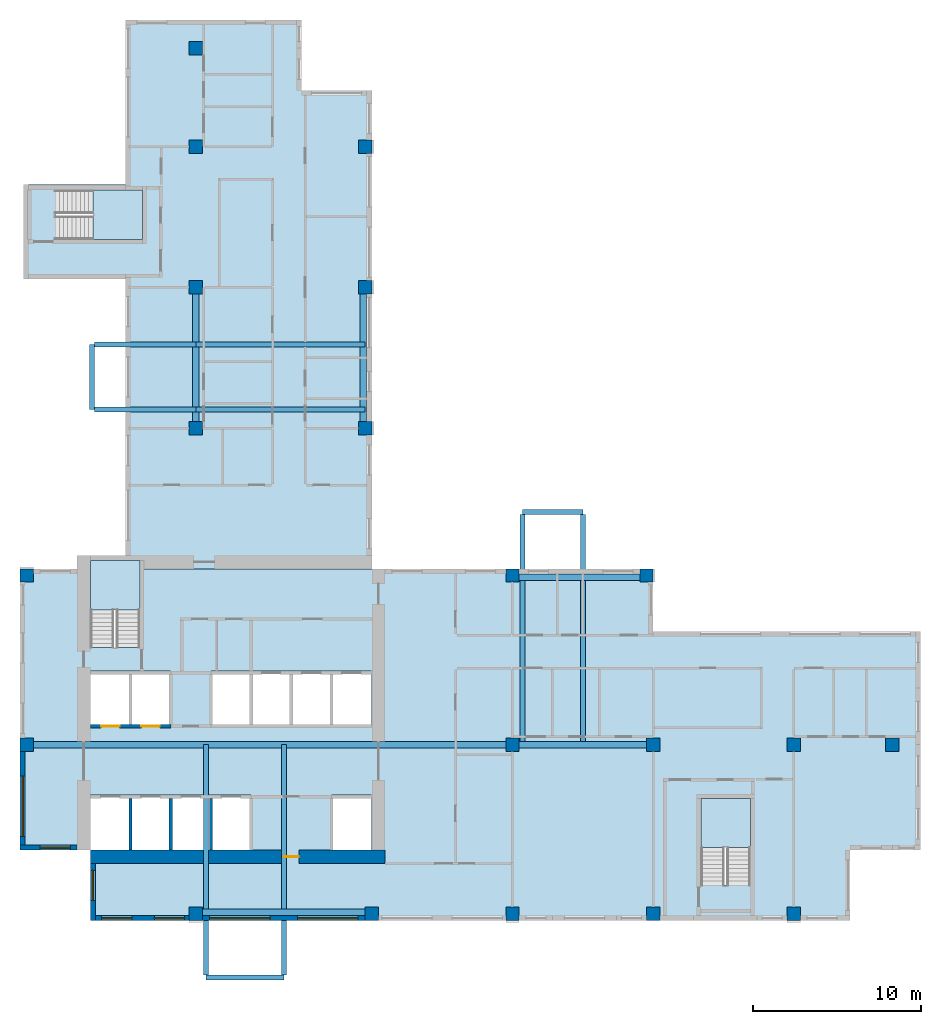
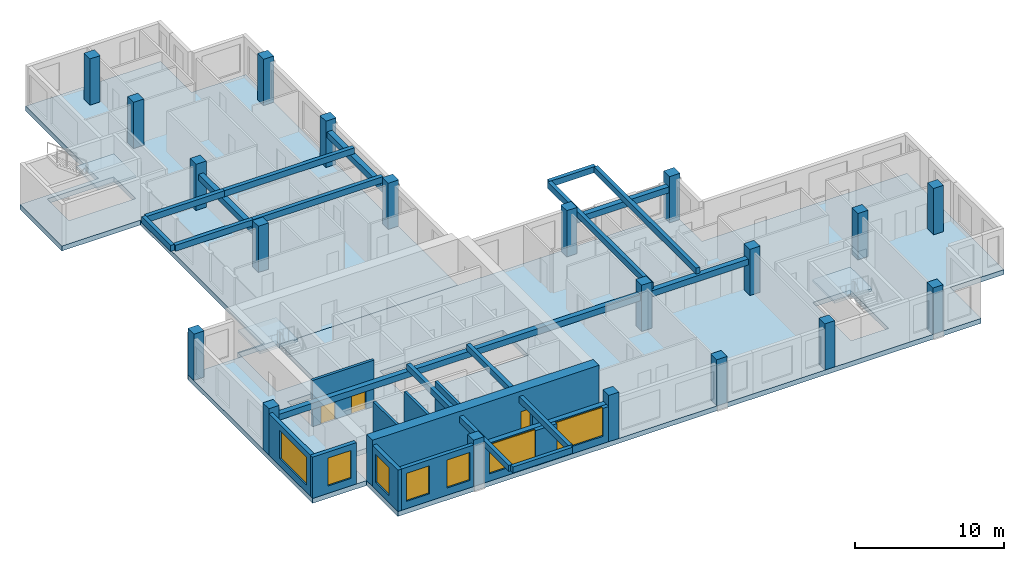
# One storey, part 1 of 11: 20 columns, 17 beams, 10 walls, 7 windows, 5 slabs, 3 doors, 10 openings, 3 elements without a shape of their own.
"""IFC4 building model written with IfcOpenShell, lengths in metres."""

import ifcopenshell
import ifcopenshell.guid

model = None  # the IFC model being written
_history = None  # IfcOwnerHistory: only IFC2X3 demands one
_inside = {}  # id of a spatial element -> (the spatial element, [elements in it])
_under = {}  # id of a project, library or spatial element -> (it, [spatial elements below it])
_declared = {}  # id of a project -> (the project, [libraries it declares])
_typed = {}  # id of a type object -> (the type object, [elements of that type])
_made_of = {}  # id of a material, layer set ... -> (it, [elements and type objects made of it])


def new_model(schema):
    """Start an empty IFC model of exactly this schema.

    Asked for "IFC4X3", IfcOpenShell would pick the latest addendum, in which some entities
    have other attributes; the version numbers below select the first issue.
    IFC2X3 requires an IfcOwnerHistory on every rooted entity: one is made here for all.
    """
    global model, _history
    if schema == "IFC4X3":
        model = ifcopenshell.file(schema_version=(4, 3, 0, 0))
    else:
        model = ifcopenshell.file(schema=schema)
    _inside.clear()
    _under.clear()
    _declared.clear()
    _typed.clear()
    _made_of.clear()
    _history = None
    if model.schema == "IFC2X3":
        org = make("IfcOrganization", Name="unknown")
        user = make(
            "IfcPersonAndOrganization",
            ThePerson=make("IfcPerson", FamilyName="unknown"),
            TheOrganization=org,
        )
        app = make(
            "IfcApplication",
            ApplicationDeveloper=org,
            Version="unknown",
            ApplicationFullName="unknown",
            ApplicationIdentifier="unknown",
        )
        _history = make(
            "IfcOwnerHistory",
            OwningUser=user,
            OwningApplication=app,
            ChangeAction="ADDED",
            CreationDate=0,
        )
    return model


def make(cls, **values):
    """One entity of the class cls with the attributes given. An attribute that is None is left unset."""
    return model.create_entity(
        cls, **{name: value for name, value in values.items() if value is not None}
    )


def rooted(cls, **values):
    """An entity with a GlobalId (a new one), such as an element, a storey or a relation."""
    return make(cls, GlobalId=ifcopenshell.guid.new(), OwnerHistory=_history, **values)


def si_unit(unit_type, name, prefix=None):
    """IfcSIUnit, for example si_unit("LENGTHUNIT", "METRE", prefix="MILLI")."""
    return make("IfcSIUnit", UnitType=unit_type, Prefix=prefix, Name=name)


def assignment(units):
    """IfcUnitAssignment: the units of a project."""
    return None if units is None else make("IfcUnitAssignment", Units=units)


def point(xyz):
    """IfcCartesianPoint."""
    return None if xyz is None else make("IfcCartesianPoint", Coordinates=xyz)


def direction(xyz):
    """IfcDirection."""
    return None if xyz is None else make("IfcDirection", DirectionRatios=xyz)


def frame(location, z_axis=None, x_axis=None):
    """IfcAxis2Placement3D, a coordinate frame: its origin and axes. An axis left out is left unset."""
    return make(
        "IfcAxis2Placement3D",
        Location=point(location),
        Axis=direction(z_axis),
        RefDirection=direction(x_axis),
    )


def frame_2d(location, x_axis=None):
    """IfcAxis2Placement2D, a coordinate frame in the plane: its origin and x axis."""
    return make(
        "IfcAxis2Placement2D", Location=point(location), RefDirection=direction(x_axis)
    )


def origin():
    """The frame at (0, 0, 0) with its axes left unset."""
    return frame((0.0, 0.0, 0.0))


def origin_2d():
    """The frame at (0, 0) in the plane with its x axis left unset."""
    return frame_2d((0.0, 0.0))


def place(relative_to, where):
    """IfcLocalPlacement: puts the frame where relative to a parent placement (None: the world)."""
    return make(
        "IfcLocalPlacement", PlacementRelTo=relative_to, RelativePlacement=where
    )


def context(
    kind, dimensions, precision=None, world=None, true_north=None, identifier=None
):
    """IfcGeometricRepresentationContext, for example the 3D "Model" context."""
    return make(
        "IfcGeometricRepresentationContext",
        ContextIdentifier=identifier,
        ContextType=kind,
        CoordinateSpaceDimension=dimensions,
        Precision=precision,
        WorldCoordinateSystem=world,
        TrueNorth=true_north,
    )


def subcontext(parent, identifier, kind, view, scale=None):
    """IfcGeometricRepresentationSubContext, for example "Body" below "Model"."""
    return make(
        "IfcGeometricRepresentationSubContext",
        ContextIdentifier=identifier,
        ContextType=kind,
        ParentContext=parent,
        TargetScale=scale,
        TargetView=view,
    )


def project(units=None, contexts=None):
    """IfcProject with its units and contexts."""
    return rooted(
        "IfcProject",
        Name="project",
        RepresentationContexts=contexts,
        UnitsInContext=assignment(units),
    )


def spatial(cls, under=None, at=None, **own):
    """A site, building, storey or space (cls), placed at a placement, below another one or the project."""
    s = rooted(cls, ObjectPlacement=at, **own)
    if under is not None:
        _under.setdefault(under.id(), (under, []))[1].append(s)
    return s


def polyline(points):
    """IfcPolyline through the points."""
    return make("IfcPolyline", Points=[point(p) for p in points])


def profile(cls, at=None, kind="AREA", **sizes):
    """A parametric profile (cls). Its sizes go by their IFC names, for example OverallWidth=200.0."""
    return make(cls, ProfileType=kind, Position=at, **sizes)


def rectangle(**sizes):
    """IfcRectangleProfileDef."""
    return profile("IfcRectangleProfileDef", **sizes)


def outline(outer, holes=None, kind="AREA"):
    """IfcArbitraryClosedProfileDef: a profile drawn as a closed curve; with holes, ...WithVoids."""
    if holes is None:
        return make("IfcArbitraryClosedProfileDef", ProfileType=kind, OuterCurve=outer)
    return make(
        "IfcArbitraryProfileDefWithVoids",
        ProfileType=kind,
        OuterCurve=outer,
        InnerCurves=holes,
    )


def extrude(swept, where, along, depth):
    """IfcExtrudedAreaSolid: the profile swept, set in the frame where, extruded along a direction by depth."""
    return make(
        "IfcExtrudedAreaSolid",
        SweptArea=swept,
        Position=where,
        ExtrudedDirection=direction(along),
        Depth=depth,
    )


def shape(context_of_items, identifier, shape_type, items):
    """IfcShapeRepresentation: the items that make up one representation, for example the "Body"."""
    return make(
        "IfcShapeRepresentation",
        ContextOfItems=context_of_items,
        RepresentationIdentifier=identifier,
        RepresentationType=shape_type,
        Items=items,
    )


def source(mapping_origin, context_of_items, identifier, shape_type, items):
    """IfcRepresentationMap: a shape defined once, which mapped items show again and again."""
    return make(
        "IfcRepresentationMap",
        MappingOrigin=mapping_origin,
        MappedRepresentation=shape(context_of_items, identifier, shape_type, items),
    )


def transform(
    local_origin,
    x_axis=None,
    y_axis=None,
    z_axis=None,
    scale=None,
    scale2=None,
    scale3=None,
    uniform=True,
):
    """IfcCartesianTransformationOperator3D, or its non-uniform kind. x_axis, y_axis, z_axis: its Axis1, 2, 3."""
    if uniform:
        return make(
            "IfcCartesianTransformationOperator3D",
            Axis1=direction(x_axis),
            Axis2=direction(y_axis),
            LocalOrigin=point(local_origin),
            Scale=scale,
            Axis3=direction(z_axis),
        )
    return make(
        "IfcCartesianTransformationOperator3DnonUniform",
        Axis1=direction(x_axis),
        Axis2=direction(y_axis),
        LocalOrigin=point(local_origin),
        Scale=scale,
        Axis3=direction(z_axis),
        Scale2=scale2,
        Scale3=scale3,
    )


def mapped(mapping_source, mapping_target):
    """IfcMappedItem: shows the shape of a source again, moved by a transform."""
    return make(
        "IfcMappedItem", MappingSource=mapping_source, MappingTarget=mapping_target
    )


def material(Name=None, Category=None):
    """IfcMaterial."""
    return make("IfcMaterial", Name=Name, Category=Category)


def layer(
    of_material, thickness, ventilated=None, Name=None, Category=None, Priority=None
):
    """IfcMaterialLayer: one layer of a wall or slab, of a material (None: an air gap)."""
    return make(
        "IfcMaterialLayer",
        Material=of_material,
        LayerThickness=thickness,
        IsVentilated=ventilated,
        Name=Name,
        Category=Category,
        Priority=Priority,
    )


def layer_set(layers, Name=None):
    """IfcMaterialLayerSet."""
    return make("IfcMaterialLayerSet", MaterialLayers=layers, LayerSetName=Name)


def material_profile(
    of_material, cross_section, Name=None, Category=None, Priority=None
):
    """IfcMaterialProfile: a cross section and its material."""
    return make(
        "IfcMaterialProfile",
        Name=Name,
        Material=of_material,
        Profile=cross_section,
        Priority=Priority,
        Category=Category,
    )


def profile_set(profiles, Name=None, composite=None):
    """IfcMaterialProfileSet."""
    return make(
        "IfcMaterialProfileSet",
        Name=Name,
        MaterialProfiles=profiles,
        CompositeProfile=composite,
    )


def made_of(thing, what):
    """Note that an element or type object is made of a material, layer set ...; save() writes the relation."""
    if what is not None:
        _made_of.setdefault(what.id(), (what, []))[1].append(thing)
    return thing


def type_object(cls, material=None, **own):
    """A type object (cls), such as IfcWallType, which elements share."""
    return made_of(rooted(cls, **own), material)


def element(
    cls,
    number,
    at=None,
    inside=None,
    cuts=None,
    type_object=None,
    material=None,
    context=None,
    identifier="Body",
    shape_type=None,
    held_by="IfcProductDefinitionShape",
    body=None,
    shapes=None,
    **own,
):
    """One element of the class cls, such as IfcWall. Its Tag is "e" and its number.

    at: its placement. inside: the storey or other place that contains it. cuts: it is an
    opening in that element (IfcRelVoidsElement). A single representation is given by context,
    identifier, shape_type and body (its items); several are given by shapes. held_by: the class
    of the entity that holds the representations. save() writes the other relations.
    """
    e = rooted(cls, Tag="e%d" % number, ObjectPlacement=at, **own)
    if body is not None:
        shapes = [shape(context, identifier, shape_type, body)]
    if shapes is not None:
        e.Representation = make(held_by, Representations=shapes)
    if inside is not None:
        _inside.setdefault(inside.id(), (inside, []))[1].append(e)
    if cuts is not None:
        rooted(
            "IfcRelVoidsElement", RelatingBuildingElement=cuts, RelatedOpeningElement=e
        )
    if type_object is not None:
        _typed.setdefault(type_object.id(), (type_object, []))[1].append(e)
    return made_of(e, material)


def fill(opening, filler):
    """IfcRelFillsElement: the door or window that sits in an opening."""
    return rooted(
        "IfcRelFillsElement",
        RelatingOpeningElement=opening,
        RelatedBuildingElement=filler,
    )


def aggregate(whole, parts):
    """IfcRelAggregates: a whole, such as a stair, and the parts it consists of."""
    return rooted("IfcRelAggregates", RelatingObject=whole, RelatedObjects=parts)


def save(model, path):
    """Write the relations noted so far, then the file.

    IfcRelAggregates (storeys below a building ...), IfcRelContainedInSpatialStructure (elements
    in a storey), IfcRelDefinesByType, IfcRelAssociatesMaterial and IfcRelDeclares: one each for
    every whole, place, type object, material and project.
    """
    for whole, parts in _under.values():
        aggregate(whole, parts)
    for where, things in _inside.values():
        rooted(
            "IfcRelContainedInSpatialStructure",
            RelatedElements=things,
            RelatingStructure=where,
        )
    for kind, things in _typed.values():
        rooted("IfcRelDefinesByType", RelatedObjects=things, RelatingType=kind)
    for what, things in _made_of.values():
        rooted("IfcRelAssociatesMaterial", RelatedObjects=things, RelatingMaterial=what)
    for by, libraries in _declared.values():
        rooted("IfcRelDeclares", RelatingContext=by, RelatedDefinitions=libraries)
    model.write(path)


model = new_model("IFC4")

# Units and contexts
model_context = context("Model", 3, precision=1e-05, world=origin(), true_north=direction((0.0, 1.0)))
body_context = subcontext(model_context, "Body", "Model", "MODEL_VIEW")
ifc_project = project(units=[si_unit("LENGTHUNIT", "METRE"), si_unit("AREAUNIT", "SQUARE_METRE"), si_unit("VOLUMEUNIT", "CUBIC_METRE"), si_unit("PLANEANGLEUNIT", "RADIAN"), si_unit("MASSUNIT", "GRAM", prefix="KILO")], contexts=[model_context])

# Site, building, storey
site_placement = place(None, origin())
site = spatial("IfcSite", under=ifc_project, at=site_placement, CompositionType="ELEMENT")
building_placement = place(site_placement, origin())
building = spatial("IfcBuilding", under=site, at=building_placement, Name="Aurelian Terraces", CompositionType="ELEMENT")
storey_placement = place(building_placement, frame((0.0, 0.0, 250.0)))
storey = spatial("IfcBuildingStorey", under=building, at=storey_placement, Name="L57", CompositionType="ELEMENT", Elevation=250.0)

# Columns
ifc_material_1 = material(Name="Concrete fc' 70 MPa", Category="concrete")
ifc_material_profile_1 = material_profile(ifc_material_1, rectangle(XDim=0.8, YDim=0.8, at=origin_2d()))
ifc_profile_set_1 = profile_set([ifc_material_profile_1], Name="Concrete fc' 70 MPa")
column_type = type_object("IfcColumnType", Name="RC COLUMN 800X800 FC70", PredefinedType="COLUMN", material=ifc_profile_set_1)
shared_shape_1 = source(origin(), body_context, "Body", "SweptSolid", [
    extrude(rectangle(XDim=0.8, YDim=0.8, at=origin_2d()), origin(), (0.0, 0.0, 1.0), 3.8),
])
for number, where, z_axis, x_axis, name in (
    (1, (10.5, 0.4, 0.0), (0.0, 0.0, 1.0), (1.0, 0.0, 0.0), "Column 2/A L57"),
    (2, (21.0, 0.4, 0.0), (0.0, 0.0, 1.0), (1.0, 0.0, 0.0), "Column 3/A L57"),
    (3, (29.4, 0.4, 0.0), (0.0, 0.0, 1.0), (1.0, 0.0, 0.0), "Column 4/A L57"),
    (4, (37.8, 0.4, 0.0), (0.0, 0.0, 1.0), (1.0, 0.0, 0.0), "Column 5/A L57"),
    (5, (46.2, 0.4, 0.0), (0.0, 0.0, 1.0), (1.0, 0.0, 0.0), "Column 6/A L57"),
    (6, (0.4, 10.5, 0.0), (0.0, 0.0, 1.0), (1.0, 0.0, 0.0), "Column 1/B L57"),
    (7, (29.4, 10.5, 0.0), (0.0, 0.0, 1.0), (1.0, 0.0, 0.0), "Column 4/B L57"),
    (8, (37.8, 10.5, 0.0), (0.0, 0.0, 1.0), (1.0, 0.0, 0.0), "Column 5/B L57"),
    (9, (46.2, 10.5, 0.0), (0.0, 0.0, 1.0), (1.0, 0.0, 0.0), "Column 6/B L57"),
    (10, (52.08, 10.5, 0.0), (0.0, 0.0, 1.0), (1.0, 0.0, 0.0), "Column 7/B L57"),
    (11, (0.4, 20.6, 0.0), (0.0, 0.0, 1.0), (1.0, 0.0, 0.0), "Column 1/C L57"),
    (12, (29.4, 20.6, 0.0), (0.0, 0.0, 1.0), (1.0, 0.0, 0.0), "Column 4/C L57"),
    (13, (37.4, 20.6, 0.0), (0.0, 0.0, 1.0), (1.0, 0.0, 0.0), "Column 5/C L57"),
    (14, (10.5, 29.4, 0.0), (0.0, 0.0, 1.0), (1.0, 0.0, 0.0), "Column 2/D L57"),
    (15, (20.6, 29.4, 0.0), (0.0, 0.0, 1.0), (1.0, 0.0, 0.0), "Column 3/D L57"),
    (16, (10.5, 37.8, 0.0), (0.0, 0.0, 1.0), (1.0, 0.0, 0.0), "Column 2/E L57"),
    (17, (20.6, 37.8, 0.0), (0.0, 0.0, 1.0), (1.0, 0.0, 0.0), "Column 3/E L57"),
    (18, (10.5, 46.2, 0.0), (0.0, 0.0, 1.0), (1.0, 0.0, 0.0), "Column 2/F L57"),
    (19, (20.6, 46.2, 0.0), (0.0, 0.0, 1.0), (1.0, 0.0, 0.0), "Column 3/F L57"),
    (20, (10.5, 52.08, 0.0), (0.0, 0.0, 1.0), (1.0, 0.0, 0.0), "Column 2/G L57"),
):
    element("IfcColumn", number, at=place(storey_placement, frame(where, z_axis=z_axis, x_axis=x_axis)), inside=storey, type_object=column_type, Name=name, PredefinedType="COLUMN", context=body_context, shape_type="MappedRepresentation", body=[
        mapped(shared_shape_1, transform((0.0, 0.0, 0.0), scale=1.0)),
    ])

# Beams
ifc_material_2 = material(Name="Concrete fc' 40 MPa", Category="concrete")
ifc_material_profile_2 = material_profile(ifc_material_2, rectangle(XDim=0.4, YDim=0.5, at=origin_2d()))
ifc_profile_set_2 = profile_set([ifc_material_profile_2], Name="Concrete fc' 40 MPa")
beam_type_1 = type_object("IfcBeamType", Name="CONCRETE EDGE GIRDER 400X500", PredefinedType="BEAM", material=ifc_profile_set_2)
shared_shape_2 = source(origin(), body_context, "Body", "SweptSolid", [
    extrude(rectangle(XDim=0.4, YDim=0.5, at=origin_2d()), origin(), (0.0, 0.0, 1.0), 7.2),
])
beam_1_placement = place(storey_placement, frame((29.8, 20.5, 2.65), z_axis=(1.0, 0.0, 0.0), x_axis=(0.0, 1.0, 0.0)))
element("IfcBeam", 21, at=beam_1_placement, inside=storey, type_object=beam_type_1, Name="Box girder L57 O163", PredefinedType="BEAM", context=body_context, shape_type="MappedRepresentation", body=[
    mapped(shared_shape_2, transform((0.0, 0.0, 0.0), scale=1.0)),
])
ifc_material_profile_3 = material_profile(ifc_material_2, rectangle(XDim=0.3, YDim=0.5, at=origin_2d()))
ifc_profile_set_3 = profile_set([ifc_material_profile_3], Name="Concrete fc' 40 MPa")
beam_type_2 = type_object("IfcBeamType", Name="CONCRETE BOX CANTILEVER BEAM 300X500", PredefinedType="BEAM", material=ifc_profile_set_3)
shared_shape_3 = source(origin(), body_context, "Body", "SweptSolid", [
    extrude(rectangle(XDim=0.3, YDim=0.5, at=origin_2d()), origin(), (0.0, 0.0, 1.0), 6.05),
])
for number, where, z_axis, x_axis, name in (
    (22, (4.45, 30.5, 3.15), (1.0, 0.0, 0.0), (0.0, 1.0, 0.0), "Box cantilever beam J85.1"),
    (23, (4.45, 34.4, 3.15), (1.0, 0.0, 0.0), (0.0, 1.0, 0.0), "Box cantilever beam J85.2"),
):
    element("IfcBeam", number, at=place(storey_placement, frame(where, z_axis=z_axis, x_axis=x_axis)), inside=storey, type_object=beam_type_2, Name=name, PredefinedType="BEAM", context=body_context, shape_type="MappedRepresentation", body=[
        mapped(shared_shape_3, transform((0.0, 0.0, 0.0), scale=1.0)),
    ])
ifc_material_profile_4 = material_profile(ifc_material_2, rectangle(XDim=0.3, YDim=0.5, at=origin_2d()))
ifc_profile_set_4 = profile_set([ifc_material_profile_4], Name="Concrete fc' 40 MPa")
beam_type_3 = type_object("IfcBeamType", Name="CONCRETE CANTILEVER BEAM 300X500", PredefinedType="BEAM", material=ifc_profile_set_4)
shared_shape_4 = source(origin(), body_context, "Body", "SweptSolid", [
    extrude(rectangle(XDim=0.3, YDim=0.5, at=origin_2d()), origin(), (0.0, 0.0, 1.0), 3.9),
])
beam_2_placement = place(storey_placement, frame((4.3, 30.5, 3.15), z_axis=(0.0, 1.0, 0.0), x_axis=(-1.0, 0.0, 0.0)))
element("IfcBeam", 24, at=beam_2_placement, inside=storey, type_object=beam_type_3, Name="Box tip beam J85", PredefinedType="BEAM", context=body_context, shape_type="MappedRepresentation", body=[
    mapped(shared_shape_4, transform((0.0, 0.0, 0.0), scale=1.0)),
])
shared_shape_5 = source(origin(), body_context, "Body", "SweptSolid", [
    extrude(rectangle(XDim=0.3, YDim=0.5, at=origin_2d()), origin(), (0.0, 0.0, 1.0), 13.75),
])
for number, where, z_axis, x_axis, name in (
    (25, (11.1, -3.25, 3.15), (0.0, 1.0, 0.0), (-1.0, 0.0, 0.0), "Box cantilever beam J83.1"),
    (26, (15.75, -3.25, 3.15), (0.0, 1.0, 0.0), (-1.0, 0.0, 0.0), "Box cantilever beam J83.2"),
    (27, (30.0, 24.25, 3.15), (0.0, -1.0, 0.0), (1.0, 0.0, 0.0), "Box cantilever beam J84.1"),
    (28, (33.6, 24.25, 3.15), (0.0, -1.0, 0.0), (1.0, 0.0, 0.0), "Box cantilever beam J84.2"),
):
    element("IfcBeam", number, at=place(storey_placement, frame(where, z_axis=z_axis, x_axis=x_axis)), inside=storey, type_object=beam_type_3, Name=name, PredefinedType="BEAM", context=body_context, shape_type="MappedRepresentation", body=[
        mapped(shared_shape_5, transform((0.0, 0.0, 0.0), scale=1.0)),
    ])
shared_shape_6 = source(origin(), body_context, "Body", "SweptSolid", [
    extrude(rectangle(XDim=0.4, YDim=0.5, at=origin_2d()), origin(), (0.0, 0.0, 1.0), 7.6),
])
for number, where, z_axis, x_axis, name in (
    (29, (29.8, 10.5, 2.65), (1.0, 0.0, 0.0), (0.0, 1.0, 0.0), "Box girder L57 I164"),
    (30, (10.5, 29.8, 2.65), (0.0, 1.0, 0.0), (-1.0, 0.0, 0.0), "Box girder L57 O165"),
    (31, (20.5, 29.8, 2.65), (0.0, 1.0, 0.0), (-1.0, 0.0, 0.0), "Box girder L57 I166"),
):
    element("IfcBeam", number, at=place(storey_placement, frame(where, z_axis=z_axis, x_axis=x_axis)), inside=storey, type_object=beam_type_1, Name=name, PredefinedType="BEAM", context=body_context, shape_type="MappedRepresentation", body=[
        mapped(shared_shape_6, transform((0.0, 0.0, 0.0), scale=1.0)),
    ])
shared_shape_7 = source(origin(), body_context, "Body", "SweptSolid", [
    extrude(rectangle(XDim=0.3, YDim=0.5, at=origin_2d()), origin(), (0.0, 0.0, 1.0), 3.6),
])
beam_3_placement = place(storey_placement, frame((30.0, 24.4, 3.15), z_axis=(1.0, 0.0, 0.0), x_axis=(0.0, 1.0, 0.0)))
element("IfcBeam", 32, at=beam_3_placement, inside=storey, type_object=beam_type_3, Name="Box tip beam J84", PredefinedType="BEAM", context=body_context, shape_type="MappedRepresentation", body=[
    mapped(shared_shape_7, transform((0.0, 0.0, 0.0), scale=1.0)),
])
shared_shape_8 = source(origin(), body_context, "Body", "SweptSolid", [
    extrude(rectangle(XDim=0.4, YDim=0.5, at=origin_2d()), origin(), (0.0, 0.0, 1.0), 9.7),
])
beam_4_placement = place(storey_placement, frame((10.9, 0.5, 2.65), z_axis=(1.0, 0.0, 0.0), x_axis=(0.0, 1.0, 0.0)))
element("IfcBeam", 33, at=beam_4_placement, inside=storey, type_object=beam_type_1, Name="Box girder L57 O161", PredefinedType="BEAM", context=body_context, shape_type="MappedRepresentation", body=[
    mapped(shared_shape_8, transform((0.0, 0.0, 0.0), scale=1.0)),
])
shared_shape_9 = source(origin(), body_context, "Body", "SweptSolid", [
    extrude(rectangle(XDim=0.4, YDim=0.5, at=origin_2d()), origin(), (0.0, 0.0, 1.0), 28.2),
])
beam_5_placement = place(storey_placement, frame((0.8, 10.5, 2.65), z_axis=(1.0, 0.0, 0.0), x_axis=(0.0, 1.0, 0.0)))
element("IfcBeam", 34, at=beam_5_placement, inside=storey, type_object=beam_type_1, Name="Box girder L57 I162", PredefinedType="BEAM", context=body_context, shape_type="MappedRepresentation", body=[
    mapped(shared_shape_9, transform((0.0, 0.0, 0.0), scale=1.0)),
])
shared_shape_10 = source(origin(), body_context, "Body", "SweptSolid", [
    extrude(rectangle(XDim=0.3, YDim=0.5, at=origin_2d()), origin(), (0.0, 0.0, 1.0), 4.65),
])
beam_6_placement = place(storey_placement, frame((11.1, -3.4, 3.15), z_axis=(1.0, 0.0, 0.0), x_axis=(0.0, 1.0, 0.0)))
element("IfcBeam", 35, at=beam_6_placement, inside=storey, type_object=beam_type_3, Name="Box tip beam J83", PredefinedType="BEAM", context=body_context, shape_type="MappedRepresentation", body=[
    mapped(shared_shape_10, transform((0.0, 0.0, 0.0), scale=1.0)),
])
shared_shape_11 = source(origin(), body_context, "Body", "SweptSolid", [
    extrude(rectangle(XDim=0.3, YDim=0.5, at=origin_2d()), origin(), (0.0, 0.0, 1.0), 10.1),
])
for number, where, z_axis, x_axis, name in (
    (36, (10.5, 30.5, 3.15), (1.0, 0.0, 0.0), (0.0, 1.0, 0.0), "Box back-span beam J85.1"),
    (37, (10.5, 34.4, 3.15), (1.0, 0.0, 0.0), (0.0, 1.0, 0.0), "Box back-span beam J85.2"),
):
    element("IfcBeam", number, at=place(storey_placement, frame(where, z_axis=z_axis, x_axis=x_axis)), inside=storey, type_object=beam_type_3, Name=name, PredefinedType="BEAM", context=body_context, shape_type="MappedRepresentation", body=[
        mapped(shared_shape_11, transform((0.0, 0.0, 0.0), scale=1.0)),
    ])

# Slabs
ifc_layer_1 = layer(ifc_material_2, 0.4)
ifc_layer_set_1 = layer_set([ifc_layer_1], Name="PT FLAT PLATE 400")
slab_type_1 = type_object("IfcSlabType", Name="PT FLAT PLATE 400", PredefinedType="FLOOR", material=ifc_layer_set_1)
shared_shape_12 = source(origin(), body_context, "Body", "SweptSolid", [
    extrude(outline(polyline([(0.2, 43.95), (6.3, 43.95), (6.3, 49.56), (6.3, 53.76), (10.5, 53.76), (16.8, 53.76), (16.8, 49.56), (21.0, 49.56), (21.0, 21.0), (7.14, 21.0), (7.14, 21.49), (4.21, 21.49), (4.21, 21.0), (4.2, 21.0), (4.2, 21.6), (6.3, 21.6), (6.3, 38.3), (0.2, 38.3), (0.2, 43.95)]), holes=[polyline([(7.29, 43.59), (2.11, 43.59), (2.11, 40.66), (7.29, 40.66), (7.29, 43.59)])]), origin(), (0.0, 0.0, 1.0), 0.4),
])
slab_1_placement = place(storey_placement, frame((0.0, 0.0, -0.4)))
element("IfcSlab", 38, at=slab_1_placement, inside=storey, type_object=slab_type_1, Name="Floor slab W L57", PredefinedType="FLOOR", context=body_context, shape_type="MappedRepresentation", body=[
    mapped(shared_shape_12, transform((0.0, 0.0, 0.0), scale=1.0)),
])
shared_shape_13 = source(origin(), body_context, "Body", "SweptSolid", [
    extrude(outline(polyline([(53.76, 4.2), (49.56, 4.2), (49.56, 0.0), (21.0, 0.0), (4.2, 0.0), (4.2, 4.2), (0.0, 4.2), (0.0, 21.0), (4.21, 21.0), (4.21, 16.31), (7.14, 16.31), (7.14, 21.0), (21.0, 21.0), (37.8, 21.0), (37.8, 17.25), (49.56, 17.25), (53.76, 17.25), (53.76, 16.8), (53.76, 16.65), (53.76, 4.2)]), holes=[polyline([(40.66, 2.11), (43.59, 2.11), (43.59, 7.29), (40.66, 7.29), (40.66, 2.11)]), polyline([(18.61, 7.49), (18.61, 4.21), (20.99, 4.21), (20.99, 7.49), (18.61, 7.49)]), polyline([(20.99, 14.89), (11.41, 14.89), (11.41, 11.51), (20.99, 11.51), (20.99, 14.89)]), polyline([(4.21, 7.49), (4.21, 4.21), (13.79, 4.21), (13.79, 7.49), (4.21, 7.49)]), polyline([(4.21, 14.89), (4.21, 11.51), (8.99, 11.51), (8.99, 14.89), (4.21, 14.89)])]), origin(), (0.0, 0.0, 1.0), 0.4),
])
slab_2_placement = place(storey_placement, frame((0.0, 0.0, -0.4)))
element("IfcSlab", 39, at=slab_2_placement, inside=storey, type_object=slab_type_1, Name="Floor slab S L57", PredefinedType="FLOOR", context=body_context, shape_type="MappedRepresentation", body=[
    mapped(shared_shape_13, transform((0.0, 0.0, 0.0), scale=1.0)),
])

# Stair, slab
stair_type = type_object("IfcStairType", Name="Stair 1400", PredefinedType="HALF_TURN_STAIR", material=ifc_material_2)
stair_1_placement = place(storey_placement, origin())
stair_1 = element("IfcStair", 40, at=stair_1_placement, inside=storey, type_object=stair_type, Name="L57 S1", PredefinedType="HALF_TURN_STAIR")
ifc_layer_2 = layer(ifc_material_2, 0.2)
ifc_layer_set_2 = layer_set([ifc_layer_2], Name="Stair landing 200")
slab_type_2 = type_object("IfcSlabType", Name="Stair landing 200", PredefinedType="LANDING", material=ifc_layer_set_2)
shared_shape_14 = source(origin(), body_context, "Body", "SweptSolid", [
    extrude(outline(polyline([(7.15, 18.55), (7.15, 21.5), (4.2, 21.5), (4.2, 18.55), (7.15, 18.55)])), origin(), (0.0, 0.0, 1.0), 0.2),
])
slab_3_placement = place(storey_placement, frame((0.0, 0.0, 1.7)))
slab_3 = element("IfcSlab", 41, at=slab_3_placement, type_object=slab_type_2, Name="S1 landing 1", PredefinedType="LANDING", context=body_context, shape_type="MappedRepresentation", body=[
    mapped(shared_shape_14, transform((0.0, 0.0, 0.0), scale=1.0)),
])
aggregate(stair_1, [slab_3])

stair_2_placement = place(storey_placement, origin())
stair_2 = element("IfcStair", 42, at=stair_2_placement, inside=storey, type_object=stair_type, Name="L57 S2", PredefinedType="HALF_TURN_STAIR")
shared_shape_15 = source(origin(), body_context, "Body", "SweptSolid", [
    extrude(outline(polyline([(43.6, 4.35), (43.6, 7.3), (40.65, 7.3), (40.65, 4.35), (43.6, 4.35)])), origin(), (0.0, 0.0, 1.0), 0.2),
])
slab_4_placement = place(storey_placement, frame((0.0, 0.0, 1.7)))
slab_4 = element("IfcSlab", 43, at=slab_4_placement, type_object=slab_type_2, Name="S2 landing 1", PredefinedType="LANDING", context=body_context, shape_type="MappedRepresentation", body=[
    mapped(shared_shape_15, transform((0.0, 0.0, 0.0), scale=1.0)),
])
aggregate(stair_2, [slab_4])

stair_3_placement = place(storey_placement, origin())
stair_3 = element("IfcStair", 44, at=stair_3_placement, inside=storey, type_object=stair_type, Name="L57 S3", PredefinedType="HALF_TURN_STAIR")
shared_shape_16 = source(origin(), body_context, "Body", "SweptSolid", [
    extrude(outline(polyline([(4.35, 40.65), (7.3, 40.65), (7.3, 43.6), (4.35, 43.6), (4.35, 40.65)])), origin(), (0.0, 0.0, 1.0), 0.2),
])
slab_5_placement = place(storey_placement, frame((0.0, 0.0, 1.7)))
slab_5 = element("IfcSlab", 45, at=slab_5_placement, type_object=slab_type_2, Name="S3 landing 1", PredefinedType="LANDING", context=body_context, shape_type="MappedRepresentation", body=[
    mapped(shared_shape_16, transform((0.0, 0.0, 0.0), scale=1.0)),
])
aggregate(stair_3, [slab_5])

# Wall, opening, door
ifc_layer_3 = layer(ifc_material_1, 0.8)
ifc_layer_set_3 = layer_set([ifc_layer_3], Name="CORE WALL 800 FC70")
wall_type_1 = type_object("IfcWallType", Name="CORE WALL 800 FC70", PredefinedType="SHEAR", material=ifc_layer_set_3)
shared_shape_17 = source(origin(), body_context, "Body", "SweptSolid", [
    extrude(rectangle(XDim=17.6, YDim=0.8, at=frame_2d((8.8, 0.0))), origin(), (0.0, 0.0, 1.0), 3.8),
])
wall_1_placement = place(storey_placement, frame((4.2, 3.8, 0.0), z_axis=(0.0, 0.0, 1.0), x_axis=(1.0, 0.0, 0.0)))
wall_1 = element("IfcWall", 46, at=wall_1_placement, inside=storey, type_object=wall_type_1, Name="Core wall S L57", PredefinedType="SHEAR", context=body_context, shape_type="MappedRepresentation", body=[
    mapped(shared_shape_17, transform((0.0, 0.0, 0.0), scale=1.0)),
])
shared_shape_18 = source(origin(), body_context, "Body", "SweptSolid", [
    extrude(rectangle(XDim=0.9, YDim=2.1, at=frame_2d((0.45, 1.05))), frame((0.0, 0.41, 0.0), z_axis=(0.0, -1.0, 0.0), x_axis=(1.0, 0.0, 0.0)), (0.0, 0.0, 1.0), 0.82),
])
opening_1_placement = place(wall_1_placement, frame((11.55, 0.0, 0.0)))
opening_1 = element("IfcOpeningElement", 47, at=opening_1_placement, cuts=wall_1, Name="Opening 66025", PredefinedType="OPENING", context=body_context, shape_type="MappedRepresentation", body=[
    mapped(shared_shape_18, transform((0.0, 0.0, 0.0), scale=1.0)),
])
ifc_material_3 = material(Name="Steel door leaf", Category="steel")
door_type_1 = type_object("IfcDoorType", Name="Core service door 900x2100", OperationType="SINGLE_SWING_LEFT", PredefinedType="DOOR", material=ifc_material_3)
shared_shape_19 = source(origin(), body_context, "Body", "SweptSolid", [
    extrude(rectangle(XDim=0.9, YDim=2.1, at=frame_2d((0.45, 1.05))), frame((0.0, 0.025, 0.0), z_axis=(0.0, -1.0, 0.0), x_axis=(1.0, 0.0, 0.0)), (0.0, 0.0, 1.0), 0.05),
])
door_1_placement = place(opening_1_placement, origin())
door_1 = element("IfcDoor", 48, at=door_1_placement, inside=storey, type_object=door_type_1, Name="Core door 66025", OperationType="SINGLE_SWING_LEFT", OverallHeight=2.1, OverallWidth=0.9, PredefinedType="DOOR", context=body_context, shape_type="MappedRepresentation", body=[
    mapped(shared_shape_19, transform((0.0, 0.0, 0.0), scale=1.0)),
])
fill(opening_1, door_1)

# Wall, opening, window
ifc_material_4 = material(Name="Terracotta rainscreen cladding", Category="masonry")
ifc_layer_4 = layer(ifc_material_4, 0.3)
ifc_layer_set_4 = layer_set([ifc_layer_4], Name="EW-300")
wall_type_2 = type_object("IfcWallType", Name="EW-300", PredefinedType="STANDARD", material=ifc_layer_set_4)
shared_shape_20 = source(origin(), body_context, "Body", "SweptSolid", [
    extrude(rectangle(XDim=3.4, YDim=0.3, at=frame_2d((1.7, 0.0))), origin(), (0.0, 0.0, 1.0), 3.4),
])
wall_2_placement = place(storey_placement, frame((0.0, 4.35, 0.0), z_axis=(0.0, 0.0, 1.0), x_axis=(1.0, 0.0, 0.0)))
wall_2 = element("IfcWall", 49, at=wall_2_placement, inside=storey, type_object=wall_type_2, Name="External wall L57 F21.34", PredefinedType="STANDARD", context=body_context, shape_type="MappedRepresentation", body=[
    mapped(shared_shape_20, transform((0.0, 0.0, 0.0), scale=1.0)),
])
shared_shape_21 = source(origin(), body_context, "Body", "SweptSolid", [
    extrude(rectangle(XDim=1.8, YDim=2.3, at=frame_2d((0.9, 1.15))), frame((0.0, 0.16, 0.0), z_axis=(0.0, -1.0, 0.0), x_axis=(1.0, 0.0, 0.0)), (0.0, 0.0, 1.0), 0.32),
])
opening_2_placement = place(wall_2_placement, frame((1.2, 0.0, 0.6)))
opening_2 = element("IfcOpeningElement", 50, at=opening_2_placement, cuts=wall_2, Name="Opening W1823", PredefinedType="OPENING", context=body_context, shape_type="MappedRepresentation", body=[
    mapped(shared_shape_21, transform((0.0, 0.0, 0.0), scale=1.0)),
])
ifc_material_5 = material(Name="Clear glazing", Category="glass")
window_type_1 = type_object("IfcWindowType", Name="W-1800x2300", PartitioningType="SINGLE_PANEL", PredefinedType="WINDOW", material=ifc_material_5)
shared_shape_22 = source(origin(), body_context, "Body", "SweptSolid", [
    extrude(rectangle(XDim=1.8, YDim=2.3, at=frame_2d((0.9, 1.15))), frame((0.0, 0.03, 0.0), z_axis=(0.0, -1.0, 0.0), x_axis=(1.0, 0.0, 0.0)), (0.0, 0.0, 1.0), 0.06),
])
window_1_placement = place(opening_2_placement, origin())
window_1 = element("IfcWindow", 51, at=window_1_placement, inside=storey, type_object=window_type_1, Name="Window L57 L57-F21-34-0", OverallHeight=2.3, OverallWidth=1.8, PartitioningType="SINGLE_PANEL", PredefinedType="WINDOW", context=body_context, shape_type="MappedRepresentation", body=[
    mapped(shared_shape_22, transform((0.0, 0.0, 0.0), scale=1.0)),
])
fill(opening_2, window_1)

wall_3_placement = place(storey_placement, frame((4.35, 3.4, 0.0), z_axis=(0.0, 0.0, 1.0), x_axis=(0.0, -1.0, 0.0)))
wall_3 = element("IfcWall", 52, at=wall_3_placement, inside=storey, type_object=wall_type_2, Name="External wall L57 F22.35", PredefinedType="STANDARD", context=body_context, shape_type="MappedRepresentation", body=[
    mapped(shared_shape_20, transform((0.0, 0.0, 0.0), scale=1.0)),
])
opening_3_placement = place(wall_3_placement, frame((0.4, 0.0, 0.6)))
opening_3 = element("IfcOpeningElement", 53, at=opening_3_placement, cuts=wall_3, Name="Opening W1823", PredefinedType="OPENING", context=body_context, shape_type="MappedRepresentation", body=[
    mapped(shared_shape_21, transform((0.0, 0.0, 0.0), scale=1.0)),
])
window_2_placement = place(opening_3_placement, origin())
window_2 = element("IfcWindow", 54, at=window_2_placement, inside=storey, type_object=window_type_1, Name="Window L57 L57-F22-35-0", OverallHeight=2.3, OverallWidth=1.8, PartitioningType="SINGLE_PANEL", PredefinedType="WINDOW", context=body_context, shape_type="MappedRepresentation", body=[
    mapped(shared_shape_22, transform((0.0, 0.0, 0.0), scale=1.0)),
])
fill(opening_3, window_2)

# Wall, openings, windows
shared_shape_23 = source(origin(), body_context, "Body", "SweptSolid", [
    extrude(rectangle(XDim=5.9, YDim=0.3, at=frame_2d((2.95, 0.0))), origin(), (0.0, 0.0, 1.0), 3.4),
])
wall_4_placement = place(storey_placement, frame((4.2, 0.15, 0.0), z_axis=(0.0, 0.0, 1.0), x_axis=(1.0, 0.0, 0.0)))
wall_4 = element("IfcWall", 55, at=wall_4_placement, inside=storey, type_object=wall_type_2, Name="External wall L57 F01.1", PredefinedType="STANDARD", context=body_context, shape_type="MappedRepresentation", body=[
    mapped(shared_shape_23, transform((0.0, 0.0, 0.0), scale=1.0)),
])
opening_4_placement = place(wall_4_placement, frame((0.675, 0.0, 0.6)))
opening_4 = element("IfcOpeningElement", 56, at=opening_4_placement, cuts=wall_4, Name="Opening W1823", PredefinedType="OPENING", context=body_context, shape_type="MappedRepresentation", body=[
    mapped(shared_shape_21, transform((0.0, 0.0, 0.0), scale=1.0)),
])
opening_5_placement = place(wall_4_placement, frame((3.825, 0.0, 0.6)))
opening_5 = element("IfcOpeningElement", 57, at=opening_5_placement, cuts=wall_4, Name="Opening W1823", PredefinedType="OPENING", context=body_context, shape_type="MappedRepresentation", body=[
    mapped(shared_shape_21, transform((0.0, 0.0, 0.0), scale=1.0)),
])
window_3_placement = place(opening_4_placement, origin())
window_3 = element("IfcWindow", 58, at=window_3_placement, inside=storey, type_object=window_type_1, Name="Window L57 L57-F01-01-0", OverallHeight=2.3, OverallWidth=1.8, PartitioningType="SINGLE_PANEL", PredefinedType="WINDOW", context=body_context, shape_type="MappedRepresentation", body=[
    mapped(shared_shape_22, transform((0.0, 0.0, 0.0), scale=1.0)),
])
fill(opening_4, window_3)
window_4_placement = place(opening_5_placement, origin())
window_4 = element("IfcWindow", 59, at=window_4_placement, inside=storey, type_object=window_type_1, Name="Window L57 L57-F01-01-1", OverallHeight=2.3, OverallWidth=1.8, PartitioningType="SINGLE_PANEL", PredefinedType="WINDOW", context=body_context, shape_type="MappedRepresentation", body=[
    mapped(shared_shape_22, transform((0.0, 0.0, 0.0), scale=1.0)),
])
fill(opening_5, window_4)

# Wall, opening, window
wall_5_placement = place(storey_placement, frame((0.15, 10.1, 0.0), z_axis=(0.0, 0.0, 1.0), x_axis=(0.0, -1.0, 0.0)))
wall_5 = element("IfcWall", 60, at=wall_5_placement, inside=storey, type_object=wall_type_2, Name="External wall L57 F20.33", PredefinedType="STANDARD", context=body_context, shape_type="MappedRepresentation", body=[
    mapped(shared_shape_23, transform((0.0, 0.0, 0.0), scale=1.0)),
])
shared_shape_24 = source(origin(), body_context, "Body", "SweptSolid", [
    extrude(rectangle(XDim=3.6, YDim=2.3, at=frame_2d((1.8, 1.15))), frame((0.0, 0.16, 0.0), z_axis=(0.0, -1.0, 0.0), x_axis=(1.0, 0.0, 0.0)), (0.0, 0.0, 1.0), 0.32),
])
opening_6_placement = place(wall_5_placement, frame((1.475, 0.0, 0.6)))
opening_6 = element("IfcOpeningElement", 61, at=opening_6_placement, cuts=wall_5, Name="Opening W3623", PredefinedType="OPENING", context=body_context, shape_type="MappedRepresentation", body=[
    mapped(shared_shape_24, transform((0.0, 0.0, 0.0), scale=1.0)),
])
window_type_2 = type_object("IfcWindowType", Name="W-3600x2300", PartitioningType="SINGLE_PANEL", PredefinedType="WINDOW", material=ifc_material_5)
shared_shape_25 = source(origin(), body_context, "Body", "SweptSolid", [
    extrude(rectangle(XDim=3.6, YDim=2.3, at=frame_2d((1.8, 1.15))), frame((0.0, 0.03, 0.0), z_axis=(0.0, -1.0, 0.0), x_axis=(1.0, 0.0, 0.0)), (0.0, 0.0, 1.0), 0.06),
])
window_5_placement = place(opening_6_placement, origin())
window_5 = element("IfcWindow", 62, at=window_5_placement, inside=storey, type_object=window_type_2, Name="Window L57 L57-F20-33-3", OverallHeight=2.3, OverallWidth=3.6, PartitioningType="SINGLE_PANEL", PredefinedType="WINDOW", context=body_context, shape_type="MappedRepresentation", body=[
    mapped(shared_shape_25, transform((0.0, 0.0, 0.0), scale=1.0)),
])
fill(opening_6, window_5)

# Wall, openings, windows
shared_shape_26 = source(origin(), body_context, "Body", "SweptSolid", [
    extrude(rectangle(XDim=9.7, YDim=0.3, at=frame_2d((4.85, 0.0))), origin(), (0.0, 0.0, 1.0), 2.9),
])
wall_6_placement = place(storey_placement, frame((10.9, 0.15, 0.0), z_axis=(0.0, 0.0, 1.0), x_axis=(1.0, 0.0, 0.0)))
wall_6 = element("IfcWall", 63, at=wall_6_placement, inside=storey, type_object=wall_type_2, Name="External wall L57 F01.2", PredefinedType="STANDARD", context=body_context, shape_type="MappedRepresentation", body=[
    mapped(shared_shape_26, transform((0.0, 0.0, 0.0), scale=1.0)),
])
opening_7_placement = place(wall_6_placement, frame((0.425, 0.0, 0.6)))
opening_7 = element("IfcOpeningElement", 64, at=opening_7_placement, cuts=wall_6, Name="Opening W3623", PredefinedType="OPENING", context=body_context, shape_type="MappedRepresentation", body=[
    mapped(shared_shape_24, transform((0.0, 0.0, 0.0), scale=1.0)),
])
opening_8_placement = place(wall_6_placement, frame((5.675, 0.0, 0.6)))
opening_8 = element("IfcOpeningElement", 65, at=opening_8_placement, cuts=wall_6, Name="Opening W3623", PredefinedType="OPENING", context=body_context, shape_type="MappedRepresentation", body=[
    mapped(shared_shape_24, transform((0.0, 0.0, 0.0), scale=1.0)),
])
window_6_placement = place(opening_7_placement, origin())
window_6 = element("IfcWindow", 66, at=window_6_placement, inside=storey, type_object=window_type_2, Name="Window L57 L57-F01-02-0", OverallHeight=2.3, OverallWidth=3.6, PartitioningType="SINGLE_PANEL", PredefinedType="WINDOW", context=body_context, shape_type="MappedRepresentation", body=[
    mapped(shared_shape_25, transform((0.0, 0.0, 0.0), scale=1.0)),
])
fill(opening_7, window_6)
window_7_placement = place(opening_8_placement, origin())
window_7 = element("IfcWindow", 67, at=window_7_placement, inside=storey, type_object=window_type_2, Name="Window L57 L57-F01-02-1", OverallHeight=2.3, OverallWidth=3.6, PartitioningType="SINGLE_PANEL", PredefinedType="WINDOW", context=body_context, shape_type="MappedRepresentation", body=[
    mapped(shared_shape_25, transform((0.0, 0.0, 0.0), scale=1.0)),
])
fill(opening_8, window_7)

# Walls
ifc_layer_5 = layer(ifc_material_2, 0.2)
ifc_layer_set_5 = layer_set([ifc_layer_5], Name="Lift shaft wall 200")
wall_type_3 = type_object("IfcWallType", Name="Lift shaft wall 200", PredefinedType="SOLIDWALL", material=ifc_layer_set_5)
shared_shape_27 = source(origin(), body_context, "Body", "SweptSolid", [
    extrude(rectangle(XDim=3.1, YDim=0.2, at=frame_2d((1.55, 0.0))), origin(), (0.0, 0.0, 1.0), 3.8),
])
for number, where, z_axis, x_axis, name in (
    (68, (6.6, 4.2, 0.0), (0.0, 0.0, 1.0), (0.0, 1.0, 0.0), "L57 core wall CD-A1"),
    (69, (9.0, 4.2, 0.0), (0.0, 0.0, 1.0), (0.0, 1.0, 0.0), "L57 core wall CD-A2"),
    (70, (11.4, 4.2, 0.0), (0.0, 0.0, 1.0), (0.0, 1.0, 0.0), "L57 core wall CD-A3"),
):
    element("IfcWall", number, at=place(storey_placement, frame(where, z_axis=z_axis, x_axis=x_axis)), inside=storey, type_object=wall_type_3, Name=name, PredefinedType="SOLIDWALL", context=body_context, shape_type="MappedRepresentation", body=[
        mapped(shared_shape_27, transform((0.0, 0.0, 0.0), scale=1.0)),
    ])

# Wall, openings, doors
shared_shape_28 = source(origin(), body_context, "Body", "SweptSolid", [
    extrude(rectangle(XDim=4.8, YDim=0.2, at=frame_2d((2.4, 0.0))), origin(), (0.0, 0.0, 1.0), 3.8),
])
wall_7_placement = place(storey_placement, frame((4.2, 11.6, 0.0), z_axis=(0.0, 0.0, 1.0), x_axis=(1.0, 0.0, 0.0)))
wall_7 = element("IfcWall", 71, at=wall_7_placement, inside=storey, type_object=wall_type_3, Name="L57 core wall CF-BF1", PredefinedType="SOLIDWALL", context=body_context, shape_type="MappedRepresentation", body=[
    mapped(shared_shape_28, transform((0.0, 0.0, 0.0), scale=1.0)),
])
shared_shape_29 = source(origin(), body_context, "Body", "SweptSolid", [
    extrude(rectangle(XDim=1.1, YDim=2.1, at=frame_2d((0.55, 1.05))), frame((0.0, 0.11, 0.0), z_axis=(0.0, -1.0, 0.0), x_axis=(1.0, 0.0, 0.0)), (0.0, 0.0, 1.0), 0.22),
])
opening_9_placement = place(wall_7_placement, frame((0.65, 0.0, 0.0)))
opening_9 = element("IfcOpeningElement", 72, at=opening_9_placement, cuts=wall_7, Name="Opening 66005", PredefinedType="OPENING", context=body_context, shape_type="MappedRepresentation", body=[
    mapped(shared_shape_29, transform((0.0, 0.0, 0.0), scale=1.0)),
])
opening_10_placement = place(wall_7_placement, frame((3.05, 0.0, 0.0)))
opening_10 = element("IfcOpeningElement", 73, at=opening_10_placement, cuts=wall_7, Name="Opening 66006", PredefinedType="OPENING", context=body_context, shape_type="MappedRepresentation", body=[
    mapped(shared_shape_29, transform((0.0, 0.0, 0.0), scale=1.0)),
])
ifc_material_6 = material(Name="Stainless steel", Category="steel")
door_type_2 = type_object("IfcDoorType", Name="Lift landing door 1100x2100", OperationType="SLIDING_TO_LEFT", PredefinedType="DOOR", material=ifc_material_6)
shared_shape_30 = source(origin(), body_context, "Body", "SweptSolid", [
    extrude(rectangle(XDim=1.1, YDim=2.1, at=frame_2d((0.55, 1.05))), frame((0.0, 0.025, 0.0), z_axis=(0.0, -1.0, 0.0), x_axis=(1.0, 0.0, 0.0)), (0.0, 0.0, 1.0), 0.05),
])
door_2_placement = place(opening_9_placement, origin())
door_2 = element("IfcDoor", 74, at=door_2_placement, inside=storey, type_object=door_type_2, Name="Lift landing door LM5 L57", OperationType="SLIDING_TO_LEFT", OverallHeight=2.1, OverallWidth=1.1, PredefinedType="DOOR", context=body_context, shape_type="MappedRepresentation", body=[
    mapped(shared_shape_30, transform((0.0, 0.0, 0.0), scale=1.0)),
])
fill(opening_9, door_2)
door_3_placement = place(opening_10_placement, origin())
door_3 = element("IfcDoor", 75, at=door_3_placement, inside=storey, type_object=door_type_2, Name="Lift landing door LM6 L57", OperationType="SLIDING_TO_LEFT", OverallHeight=2.1, OverallWidth=1.1, PredefinedType="DOOR", context=body_context, shape_type="MappedRepresentation", body=[
    mapped(shared_shape_30, transform((0.0, 0.0, 0.0), scale=1.0)),
])
fill(opening_10, door_3)

save(model, "model.ifc")
